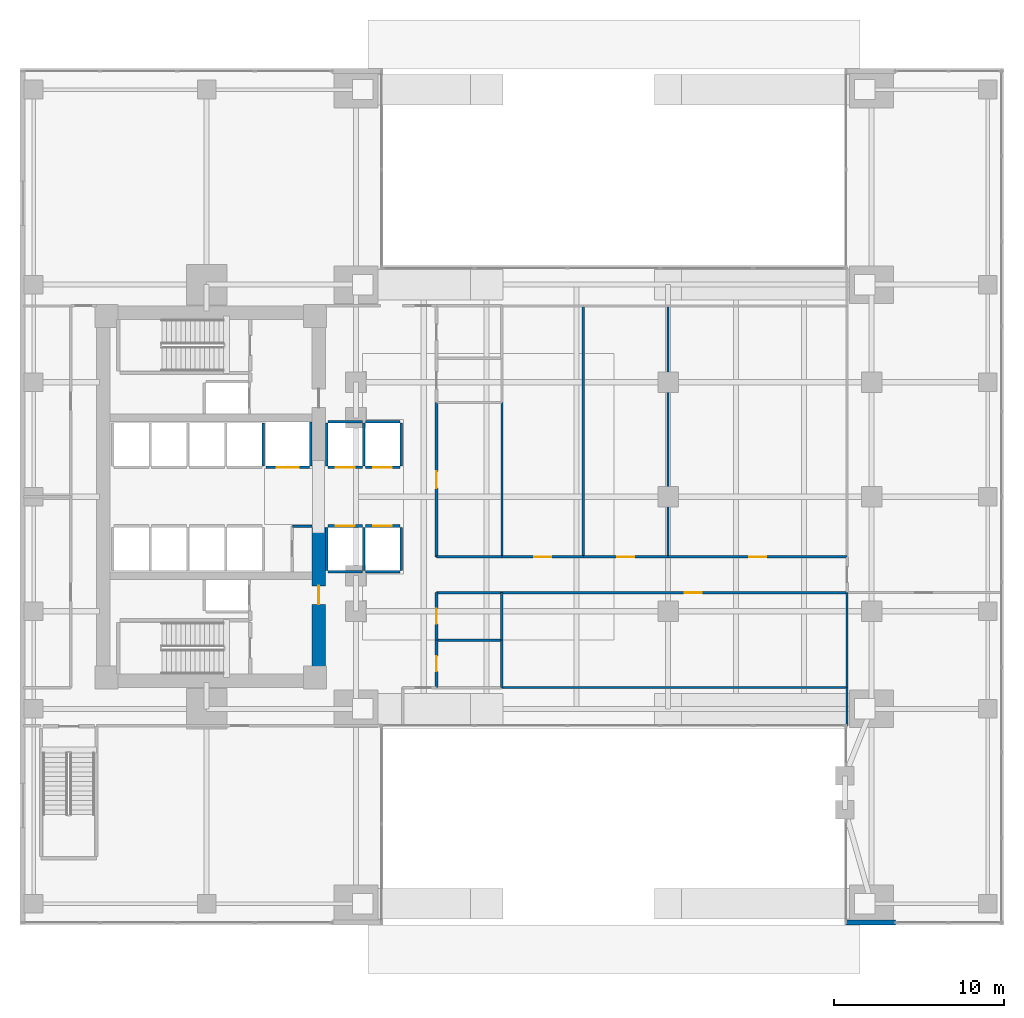
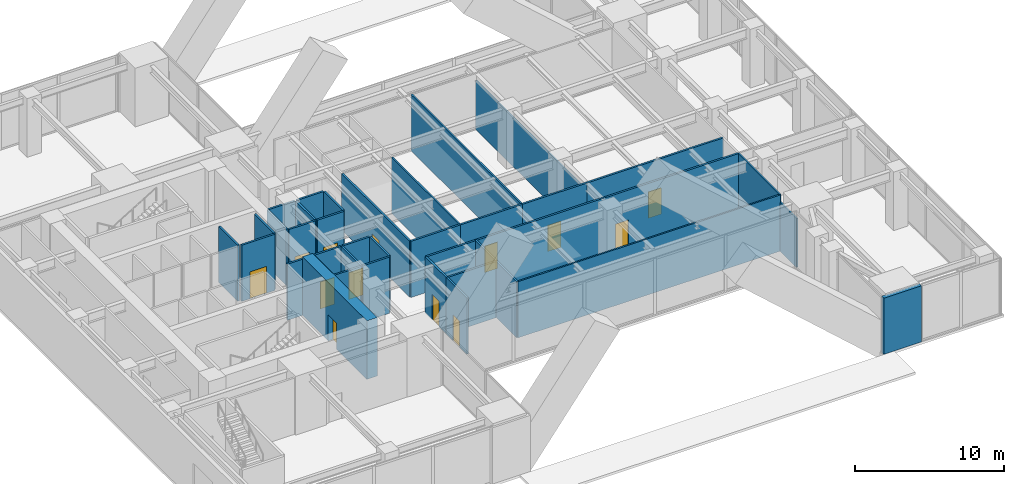
# One storey, part 9 of 13: 38 walls, 13 doors, 13 openings.
"""IFC4 building model written with IfcOpenShell, lengths in metres."""

from ifc_helpers import new_model, si_unit, direction, frame, frame_2d, origin, place, context, subcontext, project, spatial, rectangle, extrude, material, layer, layer_set, type_object, element, fill, save


model = new_model("IFC4")

# Units and contexts
model_context = context("Model", 3, precision=1e-05, world=origin(), true_north=direction((0.0, 1.0)))
body_context = subcontext(model_context, "Body", "Model", "MODEL_VIEW")
ifc_project = project(units=[si_unit("LENGTHUNIT", "METRE"), si_unit("AREAUNIT", "SQUARE_METRE"), si_unit("VOLUMEUNIT", "CUBIC_METRE"), si_unit("PLANEANGLEUNIT", "RADIAN"), si_unit("MASSUNIT", "GRAM", prefix="KILO")], contexts=[model_context])

# Site, building, storey
site_placement = place(None, origin())
site = spatial("IfcSite", under=ifc_project, at=site_placement, CompositionType="ELEMENT")
building_placement = place(site_placement, origin())
building = spatial("IfcBuilding", under=site, at=building_placement, Name="Kinhvarn Gate Tower", CompositionType="ELEMENT")
storey_placement = place(building_placement, frame((0.0, 0.0, 6.0)))
storey = spatial("IfcBuildingStorey", under=building, at=storey_placement, Name="L01", CompositionType="ELEMENT", Elevation=6.0)

# Wall, opening, door
ifc_material_1 = material(Name="Concrete C70/85", Category="concrete")
ifc_layer_1 = layer(ifc_material_1, 0.800048828125)
ifc_layer_set_1 = layer_set([ifc_layer_1], Name="Concrete C70/85")
wall_type_1 = type_object("IfcWallType", Name="WL-CORE-800", PredefinedType="SHEAR", material=ifc_layer_set_1)
wall_1_placement = place(storey_placement, frame((17.60009765625, 14.800048828125, 0.0), z_axis=(0.0, 0.0, 1.0), x_axis=(0.0, 1.0, 0.0)))
wall_1 = element("IfcWall", 1, at=wall_1_placement, inside=storey, type_object=wall_type_1, Name="Core East-South Shear Pier L01 800 mm", PredefinedType="SHEAR", context=body_context, shape_type="SweptSolid", body=[
    extrude(rectangle(XDim=8.64990234375, YDim=0.800048828125, at=frame_2d((4.324951171875, 0.0))), origin(), (0.0, 0.0, 1.0), 4.800048828125),
])
opening_1_placement = place(wall_1_placement, frame((4.10009765625, 0.0, 0.0)))
opening_1 = element("IfcOpeningElement", 2, at=opening_1_placement, cuts=wall_1, Name="Opening FD-02", PredefinedType="OPENING", context=body_context, shape_type="SweptSolid", body=[
    extrude(rectangle(XDim=1.10009765625, YDim=2.14990234375, at=frame_2d((0.550048828125, 1.074951171875))), frame((0.0, 0.41015625, 0.0), z_axis=(0.0, -1.0, 0.0), x_axis=(1.0, 0.0, 0.0)), (0.0, 0.0, 1.0), 0.820068359375),
])
ifc_material_2 = material(Name="Anodised aluminium AW-6063", Category="aluminium")
door_type_1 = type_object("IfcDoorType", Name="DR-FD-1100", OperationType="NOTDEFINED", PredefinedType="DOOR", material=ifc_material_2)
door_1_placement = place(opening_1_placement, origin())
door_1 = element("IfcDoor", 3, at=door_1_placement, inside=storey, type_object=door_type_1, Name="Firefighting Lobby Core Door (L01)", OperationType="SINGLE_SWING_RIGHT", OverallHeight=2.14990234375, OverallWidth=1.10009765625, PredefinedType="DOOR", context=body_context, shape_type="SweptSolid", body=[
    extrude(rectangle(XDim=1.10009765625, YDim=2.14990234375, at=frame_2d((0.550048828125, 1.074951171875))), frame((0.0, 0.02490234375, 0.0), z_axis=(0.0, -1.0, 0.0), x_axis=(1.0, 0.0, 0.0)), (0.0, 0.0, 1.0), 0.050048828125),
])
fill(opening_1, door_1)

# Walls
ifc_material_3 = material(Name="Precast white architectural concrete C40/50", Category="concrete")
ifc_layer_2 = layer(ifc_material_3, 0.300048828125)
ifc_layer_set_2 = layer_set([ifc_layer_2], Name="Precast white architectural concrete C40/50")
wall_type_2 = type_object("IfcWallType", Name="WL-EXT-300", PredefinedType="SOLIDWALL", material=ifc_layer_set_2)
wall_2_placement = place(storey_placement, frame((48.68994140625, 0.14990234375, 0.0), z_axis=(0.0, 0.0, 1.0), x_axis=(1.0, 0.0, 0.0)))
element("IfcWall", 4, at=wall_2_placement, inside=storey, type_object=wall_type_2, Name="Exterior Solidwall Wall EW-300 (L01 Arch-SE-Pier-L01)", PredefinedType="SOLIDWALL", context=body_context, shape_type="SweptSolid", body=[
    extrude(rectangle(XDim=2.91015625, YDim=0.300048828125, at=frame_2d((1.455078125, 0.0))), origin(), (0.0, 0.0, 1.0), 4.60009765625),
])
ifc_material_4 = material(Name="Gypsum acoustic partition board")
ifc_layer_3 = layer(ifc_material_4, 0.14990234375)
ifc_layer_set_3 = layer_set([ifc_layer_3], Name="Gypsum acoustic partition board")
wall_type_3 = type_object("IfcWallType", Name="WL-PLM-150", PredefinedType="PLUMBINGWALL", material=ifc_layer_set_3)
wall_3_placement = place(storey_placement, frame((24.550048828125, 16.800048828125, 0.0), z_axis=(0.0, 0.0, 1.0), x_axis=(1.0, 0.0, 0.0)))
element("IfcWall", 5, at=wall_3_placement, inside=storey, type_object=wall_type_3, Name="Interior Partition PLW-150 (L01)", PredefinedType="PLUMBINGWALL", context=body_context, shape_type="SweptSolid", body=[
    extrude(rectangle(XDim=3.849853515625, YDim=0.14990234375, at=frame_2d((1.9248046875, 0.0))), origin(), (0.0, 0.0, 1.0), 4.60009765625),
])
for number, where, z_axis, x_axis, name in (
    (6, (28.39990234375, 14.0, 0.0), (0.0, 0.0, 1.0), (0.0, 1.0, 0.0), "Interior Partition PLW-150 (L01)"),
    (7, (28.39990234375, 16.800048828125, 0.0), (0.0, 0.0, 1.0), (0.0, 1.0, 0.0), "Interior Partition PLW-150 (L01)"),
):
    element("IfcWall", number, at=place(storey_placement, frame(where, z_axis=z_axis, x_axis=x_axis)), inside=storey, type_object=wall_type_3, Name=name, PredefinedType="PLUMBINGWALL", context=body_context, shape_type="SweptSolid", body=[
        extrude(rectangle(XDim=2.800048828125, YDim=0.14990234375, at=frame_2d((1.39990234375, 0.0))), origin(), (0.0, 0.0, 1.0), 4.60009765625),
    ])

# Wall, opening, door
ifc_layer_4 = layer(ifc_material_4, 0.14990234375)
ifc_layer_set_4 = layer_set([ifc_layer_4], Name="Gypsum acoustic partition board")
wall_type_4 = type_object("IfcWallType", Name="WL-PLM-150F", PredefinedType="PLUMBINGWALL", material=ifc_layer_set_4)
wall_4_placement = place(storey_placement, frame((24.550048828125, 14.0, 0.0), z_axis=(0.0, 0.0, 1.0), x_axis=(0.0, 1.0, 0.0)))
wall_4 = element("IfcWall", 8, at=wall_4_placement, inside=storey, type_object=wall_type_4, Name="Interior Partition PLW-150F (L01)", PredefinedType="PLUMBINGWALL", context=body_context, shape_type="SweptSolid", body=[
    extrude(rectangle(XDim=2.800048828125, YDim=0.14990234375, at=frame_2d((1.39990234375, 0.0))), origin(), (0.0, 0.0, 1.0), 4.60009765625),
])
opening_2_placement = place(wall_4_placement, frame((0.949951171875, 0.0, 0.0)))
opening_2 = element("IfcOpeningElement", 9, at=opening_2_placement, cuts=wall_4, Name="Opening FD-04", PredefinedType="OPENING", context=body_context, shape_type="SweptSolid", body=[
    extrude(rectangle(XDim=0.89990234375, YDim=2.10009765625, at=frame_2d((0.449951171875, 1.050048828125))), frame((0.0, 0.0849609375, 0.0), z_axis=(0.0, -1.0, 0.0), x_axis=(1.0, 0.0, 0.0)), (0.0, 0.0, 1.0), 0.169921875),
])
door_type_2 = type_object("IfcDoorType", Name="DR-FD-900", OperationType="NOTDEFINED", PredefinedType="DOOR", material=ifc_material_2)
door_2_placement = place(opening_2_placement, origin())
door_2 = element("IfcDoor", 10, at=door_2_placement, inside=storey, type_object=door_type_2, Name="Rated Riser & Service Closet Fire Door 900x2100 mm (L01)", OperationType="SINGLE_SWING_LEFT", OverallHeight=2.10009765625, OverallWidth=0.89990234375, PredefinedType="DOOR", context=body_context, shape_type="SweptSolid", body=[
    extrude(rectangle(XDim=0.89990234375, YDim=2.10009765625, at=frame_2d((0.449951171875, 1.050048828125))), frame((0.0, 0.02490234375, 0.0), z_axis=(0.0, -1.0, 0.0), x_axis=(1.0, 0.0, 0.0)), (0.0, 0.0, 1.0), 0.050048828125),
])
fill(opening_2, door_2)

wall_5_placement = place(storey_placement, frame((24.550048828125, 16.800048828125, 0.0), z_axis=(0.0, 0.0, 1.0), x_axis=(0.0, 1.0, 0.0)))
wall_5 = element("IfcWall", 11, at=wall_5_placement, inside=storey, type_object=wall_type_4, Name="Interior Partition PLW-150F (L01)", PredefinedType="PLUMBINGWALL", context=body_context, shape_type="SweptSolid", body=[
    extrude(rectangle(XDim=2.800048828125, YDim=0.14990234375, at=frame_2d((1.39990234375, 0.0))), origin(), (0.0, 0.0, 1.0), 4.60009765625),
])
opening_3_placement = place(wall_5_placement, frame((0.949951171875, 0.0, 0.0)))
opening_3 = element("IfcOpeningElement", 12, at=opening_3_placement, cuts=wall_5, Name="Opening FD-04", PredefinedType="OPENING", context=body_context, shape_type="SweptSolid", body=[
    extrude(rectangle(XDim=0.89990234375, YDim=2.10009765625, at=frame_2d((0.449951171875, 1.050048828125))), frame((0.0, 0.0849609375, 0.0), z_axis=(0.0, -1.0, 0.0), x_axis=(1.0, 0.0, 0.0)), (0.0, 0.0, 1.0), 0.169921875),
])
door_3_placement = place(opening_3_placement, origin())
door_3 = element("IfcDoor", 13, at=door_3_placement, inside=storey, type_object=door_type_2, Name="Rated Riser & Service Closet Fire Door 900x2100 mm (L01)", OperationType="SINGLE_SWING_LEFT", OverallHeight=2.10009765625, OverallWidth=0.89990234375, PredefinedType="DOOR", context=body_context, shape_type="SweptSolid", body=[
    extrude(rectangle(XDim=0.89990234375, YDim=2.10009765625, at=frame_2d((0.449951171875, 1.050048828125))), frame((0.0, 0.02490234375, 0.0), z_axis=(0.0, -1.0, 0.0), x_axis=(1.0, 0.0, 0.0)), (0.0, 0.0, 1.0), 0.050048828125),
])
fill(opening_3, door_3)

# Walls
wall_6_placement = place(storey_placement, frame((24.550048828125, 19.60009765625, 0.0), z_axis=(0.0, 0.0, 1.0), x_axis=(1.0, 0.0, 0.0)))
element("IfcWall", 14, at=wall_6_placement, inside=storey, type_object=wall_type_4, Name="Interior Partition PLW-150F (L01)", PredefinedType="PLUMBINGWALL", context=body_context, shape_type="SweptSolid", body=[
    extrude(rectangle(XDim=3.849853515625, YDim=0.14990234375, at=frame_2d((1.9248046875, 0.0))), origin(), (0.0, 0.0, 1.0), 4.60009765625),
])
ifc_layer_5 = layer(ifc_material_4, 0.1201171875)
ifc_layer_set_5 = layer_set([ifc_layer_5], Name="Gypsum acoustic partition board")
wall_type_5 = type_object("IfcWallType", Name="WL-PRT-120", PredefinedType="PARTITIONING", material=ifc_layer_set_5)
wall_7_placement = place(storey_placement, frame((28.39990234375, 14.0, 0.0), z_axis=(0.0, 0.0, 1.0), x_axis=(1.0, 0.0, 0.0)))
element("IfcWall", 15, at=wall_7_placement, inside=storey, type_object=wall_type_5, Name="Interior Partition PW-120 (L01)", PredefinedType="PARTITIONING", context=body_context, shape_type="SweptSolid", body=[
    extrude(rectangle(XDim=20.35009765625, YDim=0.1201171875, at=frame_2d((10.175048828125, 0.0))), origin(), (0.0, 0.0, 1.0), 4.60009765625),
])
wall_8_placement = place(storey_placement, frame((48.75, 11.739990234375, 0.0), z_axis=(0.0, 0.0, 1.0), x_axis=(0.0, 1.0, 0.0)))
element("IfcWall", 16, at=wall_8_placement, inside=storey, type_object=wall_type_5, Name="Interior Partition PW-120 (L01)", PredefinedType="PARTITIONING", context=body_context, shape_type="SweptSolid", body=[
    extrude(rectangle(XDim=2.260009765625, YDim=0.1201171875, at=frame_2d((1.1298828125, 0.0))), origin(), (0.0, 0.0, 1.0), 4.0),
])
wall_9_placement = place(storey_placement, frame((48.75, 14.0, 0.0), z_axis=(0.0, 0.0, 1.0), x_axis=(0.0, 1.0, 0.0)))
element("IfcWall", 17, at=wall_9_placement, inside=storey, type_object=wall_type_5, Name="Interior Partition PW-120 (L01)", PredefinedType="PARTITIONING", context=body_context, shape_type="SweptSolid", body=[
    extrude(rectangle(XDim=5.60009765625, YDim=0.1201171875, at=frame_2d((2.800048828125, 0.0))), origin(), (0.0, 0.0, 1.0), 4.60009765625),
])
wall_10_placement = place(storey_placement, frame((28.39990234375, 21.699951171875, 0.0), z_axis=(0.0, 0.0, 1.0), x_axis=(0.0, 1.0, 0.0)))
element("IfcWall", 18, at=wall_10_placement, inside=storey, type_object=wall_type_5, Name="Interior Partition PW-120 (L01)", PredefinedType="PARTITIONING", context=body_context, shape_type="SweptSolid", body=[
    extrude(rectangle(XDim=9.10009765625, YDim=0.1201171875, at=frame_2d((4.550048828125, 0.0))), origin(), (0.0, 0.0, 1.0), 4.60009765625),
])
wall_11_placement = place(storey_placement, frame((33.199951171875, 21.699951171875, 0.0), z_axis=(0.0, 0.0, 1.0), x_axis=(0.0, 1.0, 0.0)))
element("IfcWall", 19, at=wall_11_placement, inside=storey, type_object=wall_type_5, Name="Interior Partition PW-120 (L01)", PredefinedType="PARTITIONING", context=body_context, shape_type="SweptSolid", body=[
    extrude(rectangle(XDim=14.800048828125, YDim=0.1201171875, at=frame_2d((7.39990234375, 0.0))), origin(), (0.0, 0.0, 1.0), 4.60009765625),
])
wall_12_placement = place(storey_placement, frame((38.199951171875, 21.699951171875, 0.0), z_axis=(0.0, 0.0, 1.0), x_axis=(0.0, 1.0, 0.0)))
element("IfcWall", 20, at=wall_12_placement, inside=storey, type_object=wall_type_5, Name="Interior Partition PW-120 (L01)", PredefinedType="PARTITIONING", context=body_context, shape_type="SweptSolid", body=[
    extrude(rectangle(XDim=14.800048828125, YDim=0.1201171875, at=frame_2d((7.39990234375, 0.0))), origin(), (0.0, 0.0, 1.0), 4.0),
])
ifc_layer_6 = layer(ifc_material_4, 0.14990234375)
ifc_layer_set_6 = layer_set([ifc_layer_6], Name="Gypsum acoustic partition board")
wall_type_6 = type_object("IfcWallType", Name="WL-PRT-150F", PredefinedType="PARTITIONING", material=ifc_layer_set_6)
wall_13_placement = place(storey_placement, frame((16.050048828125, 23.52001953125, 0.0), z_axis=(0.0, 0.0, 1.0), x_axis=(1.0, 0.0, 0.0)))
element("IfcWall", 21, at=wall_13_placement, inside=storey, type_object=wall_type_6, Name="Interior Partition PW-150F (L01)", PredefinedType="PARTITIONING", context=body_context, shape_type="SweptSolid", body=[
    extrude(rectangle(XDim=1.169921875, YDim=0.14990234375, at=frame_2d((0.5849609375, 0.0))), origin(), (0.0, 0.0, 1.0), 4.60009765625),
])

# Wall, opening, door
wall_14_placement = place(storey_placement, frame((24.550048828125, 21.699951171875, 0.0), z_axis=(0.0, 0.0, 1.0), x_axis=(0.0, 1.0, 0.0)))
wall_14 = element("IfcWall", 22, at=wall_14_placement, inside=storey, type_object=wall_type_6, Name="Interior Partition PW-150F (L01)", PredefinedType="PARTITIONING", context=body_context, shape_type="SweptSolid", body=[
    extrude(rectangle(XDim=9.10009765625, YDim=0.14990234375, at=frame_2d((4.550048828125, 0.0))), origin(), (0.0, 0.0, 1.0), 4.60009765625),
])
opening_4_placement = place(wall_14_placement, frame((4.050048828125, 0.0, 0.0)))
opening_4 = element("IfcOpeningElement", 23, at=opening_4_placement, cuts=wall_14, Name="Opening ID-02", PredefinedType="OPENING", context=body_context, shape_type="SweptSolid", body=[
    extrude(rectangle(XDim=1.0, YDim=2.14990234375, at=frame_2d((0.5, 1.074951171875))), frame((0.0, 0.0849609375, 0.0), z_axis=(0.0, -1.0, 0.0), x_axis=(1.0, 0.0, 0.0)), (0.0, 0.0, 1.0), 0.169921875),
])
door_type_3 = type_object("IfcDoorType", Name="DR-INT-1000", OperationType="NOTDEFINED", PredefinedType="DOOR", material=ifc_material_2)
door_4_placement = place(opening_4_placement, origin())
door_4 = element("IfcDoor", 24, at=door_4_placement, inside=storey, type_object=door_type_3, Name="Standard Office & Meeting Room Door 1000x2150 mm (L01)", OperationType="SINGLE_SWING_LEFT", OverallHeight=2.14990234375, OverallWidth=1.0, PredefinedType="DOOR", context=body_context, shape_type="SweptSolid", body=[
    extrude(rectangle(XDim=1.0, YDim=2.14990234375, at=frame_2d((0.5, 1.074951171875))), frame((0.0, 0.02490234375, 0.0), z_axis=(0.0, -1.0, 0.0), x_axis=(1.0, 0.0, 0.0)), (0.0, 0.0, 1.0), 0.050048828125),
])
fill(opening_4, door_4)

wall_15_placement = place(storey_placement, frame((28.39990234375, 19.60009765625, 0.0), z_axis=(0.0, 0.0, 1.0), x_axis=(1.0, 0.0, 0.0)))
wall_15 = element("IfcWall", 25, at=wall_15_placement, inside=storey, type_object=wall_type_6, Name="Interior Partition PW-150F (L01)", PredefinedType="PARTITIONING", context=body_context, shape_type="SweptSolid", body=[
    extrude(rectangle(XDim=20.35009765625, YDim=0.14990234375, at=frame_2d((10.175048828125, 0.0))), origin(), (0.0, 0.0, 1.0), 4.60009765625),
])
opening_5_placement = place(wall_15_placement, frame((10.7958984375, 0.0, 0.0)))
opening_5 = element("IfcOpeningElement", 26, at=opening_5_placement, cuts=wall_15, Name="Opening ID-02", PredefinedType="OPENING", context=body_context, shape_type="SweptSolid", body=[
    extrude(rectangle(XDim=1.0, YDim=2.14990234375, at=frame_2d((0.5, 1.074951171875))), frame((0.0, 0.0849609375, 0.0), z_axis=(0.0, -1.0, 0.0), x_axis=(1.0, 0.0, 0.0)), (0.0, 0.0, 1.0), 0.169921875),
])
door_5_placement = place(opening_5_placement, origin())
door_5 = element("IfcDoor", 27, at=door_5_placement, inside=storey, type_object=door_type_3, Name="Standard Office & Meeting Room Door 1000x2150 mm (L01)", OperationType="SINGLE_SWING_RIGHT", OverallHeight=2.14990234375, OverallWidth=1.0, PredefinedType="DOOR", context=body_context, shape_type="SweptSolid", body=[
    extrude(rectangle(XDim=1.0, YDim=2.14990234375, at=frame_2d((0.5, 1.074951171875))), frame((0.0, 0.02490234375, 0.0), z_axis=(0.0, -1.0, 0.0), x_axis=(1.0, 0.0, 0.0)), (0.0, 0.0, 1.0), 0.050048828125),
])
fill(opening_5, door_5)

# Wall
wall_16_placement = place(storey_placement, frame((24.550048828125, 21.699951171875, 0.0), z_axis=(0.0, 0.0, 1.0), x_axis=(1.0, 0.0, 0.0)))
element("IfcWall", 28, at=wall_16_placement, inside=storey, type_object=wall_type_6, Name="Interior Partition PW-150F (L01)", PredefinedType="PARTITIONING", context=body_context, shape_type="SweptSolid", body=[
    extrude(rectangle(XDim=3.849853515625, YDim=0.14990234375, at=frame_2d((1.9248046875, 0.0))), origin(), (0.0, 0.0, 1.0), 4.60009765625),
])

# Wall, opening, door
wall_17_placement = place(storey_placement, frame((28.39990234375, 21.699951171875, 0.0), z_axis=(0.0, 0.0, 1.0), x_axis=(1.0, 0.0, 0.0)))
wall_17 = element("IfcWall", 29, at=wall_17_placement, inside=storey, type_object=wall_type_6, Name="Interior Partition PW-150F (L01)", PredefinedType="PARTITIONING", context=body_context, shape_type="SweptSolid", body=[
    extrude(rectangle(XDim=4.800048828125, YDim=0.14990234375, at=frame_2d((2.39990234375, 0.0))), origin(), (0.0, 0.0, 1.0), 4.60009765625),
])
opening_6_placement = place(wall_17_placement, frame((1.89990234375, 0.0, 0.0)))
opening_6 = element("IfcOpeningElement", 30, at=opening_6_placement, cuts=wall_17, Name="Opening ID-02", PredefinedType="OPENING", context=body_context, shape_type="SweptSolid", body=[
    extrude(rectangle(XDim=1.0, YDim=2.14990234375, at=frame_2d((0.5, 1.074951171875))), frame((0.0, 0.0849609375, 0.0), z_axis=(0.0, -1.0, 0.0), x_axis=(1.0, 0.0, 0.0)), (0.0, 0.0, 1.0), 0.169921875),
])
door_6_placement = place(opening_6_placement, origin())
door_6 = element("IfcDoor", 31, at=door_6_placement, inside=storey, type_object=door_type_3, Name="Standard Office & Meeting Room Door 1000x2150 mm (L01)", OperationType="SINGLE_SWING_LEFT", OverallHeight=2.14990234375, OverallWidth=1.0, PredefinedType="DOOR", context=body_context, shape_type="SweptSolid", body=[
    extrude(rectangle(XDim=1.0, YDim=2.14990234375, at=frame_2d((0.5, 1.074951171875))), frame((0.0, 0.02490234375, 0.0), z_axis=(0.0, -1.0, 0.0), x_axis=(1.0, 0.0, 0.0)), (0.0, 0.0, 1.0), 0.050048828125),
])
fill(opening_6, door_6)

wall_18_placement = place(storey_placement, frame((33.199951171875, 21.699951171875, 0.0), z_axis=(0.0, 0.0, 1.0), x_axis=(1.0, 0.0, 0.0)))
wall_18 = element("IfcWall", 32, at=wall_18_placement, inside=storey, type_object=wall_type_6, Name="Interior Partition PW-150F (L01)", PredefinedType="PARTITIONING", context=body_context, shape_type="SweptSolid", body=[
    extrude(rectangle(XDim=5.0, YDim=0.14990234375, at=frame_2d((2.5, 0.0))), origin(), (0.0, 0.0, 1.0), 4.60009765625),
])
opening_7_placement = place(wall_18_placement, frame((2.0, 0.0, 0.0)))
opening_7 = element("IfcOpeningElement", 33, at=opening_7_placement, cuts=wall_18, Name="Opening ID-02", PredefinedType="OPENING", context=body_context, shape_type="SweptSolid", body=[
    extrude(rectangle(XDim=1.0, YDim=2.14990234375, at=frame_2d((0.5, 1.074951171875))), frame((0.0, 0.0849609375, 0.0), z_axis=(0.0, -1.0, 0.0), x_axis=(1.0, 0.0, 0.0)), (0.0, 0.0, 1.0), 0.169921875),
])
door_7_placement = place(opening_7_placement, origin())
door_7 = element("IfcDoor", 34, at=door_7_placement, inside=storey, type_object=door_type_3, Name="Standard Office & Meeting Room Door 1000x2150 mm (L01)", OperationType="SINGLE_SWING_RIGHT", OverallHeight=2.14990234375, OverallWidth=1.0, PredefinedType="DOOR", context=body_context, shape_type="SweptSolid", body=[
    extrude(rectangle(XDim=1.0, YDim=2.14990234375, at=frame_2d((0.5, 1.074951171875))), frame((0.0, 0.02490234375, 0.0), z_axis=(0.0, -1.0, 0.0), x_axis=(1.0, 0.0, 0.0)), (0.0, 0.0, 1.0), 0.050048828125),
])
fill(opening_7, door_7)

wall_19_placement = place(storey_placement, frame((38.199951171875, 21.699951171875, 0.0), z_axis=(0.0, 0.0, 1.0), x_axis=(1.0, 0.0, 0.0)))
wall_19 = element("IfcWall", 35, at=wall_19_placement, inside=storey, type_object=wall_type_6, Name="Interior Partition PW-150F (L01)", PredefinedType="PARTITIONING", context=body_context, shape_type="SweptSolid", body=[
    extrude(rectangle(XDim=10.550048828125, YDim=0.14990234375, at=frame_2d((5.27490234375, 0.0))), origin(), (0.0, 0.0, 1.0), 4.60009765625),
])
opening_8_placement = place(wall_19_placement, frame((4.77490234375, 0.0, 0.0)))
opening_8 = element("IfcOpeningElement", 36, at=opening_8_placement, cuts=wall_19, Name="Opening ID-02", PredefinedType="OPENING", context=body_context, shape_type="SweptSolid", body=[
    extrude(rectangle(XDim=1.0, YDim=2.14990234375, at=frame_2d((0.5, 1.074951171875))), frame((0.0, 0.0849609375, 0.0), z_axis=(0.0, -1.0, 0.0), x_axis=(1.0, 0.0, 0.0)), (0.0, 0.0, 1.0), 0.169921875),
])
door_8_placement = place(opening_8_placement, origin())
door_8 = element("IfcDoor", 37, at=door_8_placement, inside=storey, type_object=door_type_3, Name="Standard Office & Meeting Room Door 1000x2150 mm (L01)", OperationType="SINGLE_SWING_LEFT", OverallHeight=2.14990234375, OverallWidth=1.0, PredefinedType="DOOR", context=body_context, shape_type="SweptSolid", body=[
    extrude(rectangle(XDim=1.0, YDim=2.14990234375, at=frame_2d((0.5, 1.074951171875))), frame((0.0, 0.02490234375, 0.0), z_axis=(0.0, -1.0, 0.0), x_axis=(1.0, 0.0, 0.0)), (0.0, 0.0, 1.0), 0.050048828125),
])
fill(opening_8, door_8)

# Wall
ifc_layer_7 = layer(ifc_material_4, 0.14990234375)
ifc_layer_set_7 = layer_set([ifc_layer_7], Name="Gypsum acoustic partition board")
wall_type_7 = type_object("IfcWallType", Name="WL-SHF-150", PredefinedType="PARTITIONING", material=ifc_layer_set_7)
wall_20_placement = place(storey_placement, frame((18.14990234375, 20.824951171875, 0.0), z_axis=(0.0, 0.0, 1.0), x_axis=(1.0, 0.0, 0.0)))
element("IfcWall", 38, at=wall_20_placement, inside=storey, type_object=wall_type_7, Name="Elevator PL-01 Hoistway Wall S (L01)", PredefinedType="PARTITIONING", context=body_context, shape_type="SweptSolid", body=[
    extrude(rectangle(XDim=2.050048828125, YDim=0.14990234375, at=frame_2d((1.02490234375, 0.0))), origin(), (0.0, 0.0, 1.0), 4.60009765625),
])

# Wall, opening, door
wall_21_placement = place(storey_placement, frame((18.14990234375, 23.52490234375, 0.0), z_axis=(0.0, 0.0, 1.0), x_axis=(1.0, 0.0, 0.0)))
wall_21 = element("IfcWall", 39, at=wall_21_placement, inside=storey, type_object=wall_type_7, Name="Elevator PL-01 Landing Wall (L01)", PredefinedType="PARTITIONING", context=body_context, shape_type="SweptSolid", body=[
    extrude(rectangle(XDim=2.050048828125, YDim=0.14990234375, at=frame_2d((1.02490234375, 0.0))), origin(), (0.0, 0.0, 1.0), 4.60009765625),
])
opening_9_placement = place(wall_21_placement, frame((0.47509765625, 0.0, 0.0)))
opening_9 = element("IfcOpeningElement", 40, at=opening_9_placement, cuts=wall_21, Name="Opening LD-01", PredefinedType="OPENING", context=body_context, shape_type="SweptSolid", body=[
    extrude(rectangle(XDim=1.10009765625, YDim=2.199951171875, at=frame_2d((0.550048828125, 1.10009765625))), frame((0.0, 0.0849609375, 0.0), z_axis=(0.0, -1.0, 0.0), x_axis=(1.0, 0.0, 0.0)), (0.0, 0.0, 1.0), 0.169921875),
])
door_type_4 = type_object("IfcDoorType", Name="DR-LND-PAS", OperationType="NOTDEFINED", PredefinedType="DOOR", material=ifc_material_2)
door_9_placement = place(opening_9_placement, origin())
door_9 = element("IfcDoor", 41, at=door_9_placement, inside=storey, type_object=door_type_4, Name="Elevator PL-01 Sliding Landing Door (L01)", OperationType="DOUBLE_DOOR_SLIDING", OverallHeight=2.199951171875, OverallWidth=1.10009765625, PredefinedType="DOOR", context=body_context, shape_type="SweptSolid", body=[
    extrude(rectangle(XDim=1.10009765625, YDim=2.199951171875, at=frame_2d((0.550048828125, 1.10009765625))), frame((0.0, 0.02490234375, 0.0), z_axis=(0.0, -1.0, 0.0), x_axis=(1.0, 0.0, 0.0)), (0.0, 0.0, 1.0), 0.050048828125),
])
fill(opening_9, door_9)

# Walls
for number, where, z_axis, x_axis, name in (
    (42, (18.074951171875, 20.89990234375, 0.0), (0.0, 0.0, 1.0), (0.0, 1.0, 0.0), "Elevator PL-01 Hoistway Wall W (L01)"),
    (43, (20.27490234375, 20.89990234375, 0.0), (0.0, 0.0, 1.0), (0.0, 1.0, 0.0), "Elevator PL-01 Hoistway Wall E (L01)"),
):
    element("IfcWall", number, at=place(storey_placement, frame(where, z_axis=z_axis, x_axis=x_axis)), inside=storey, type_object=wall_type_7, Name=name, PredefinedType="PARTITIONING", context=body_context, shape_type="SweptSolid", body=[
        extrude(rectangle(XDim=2.550048828125, YDim=0.14990234375, at=frame_2d((1.27490234375, 0.0))), origin(), (0.0, 0.0, 1.0), 4.60009765625),
    ])
wall_22_placement = place(storey_placement, frame((20.35009765625, 20.824951171875, 0.0), z_axis=(0.0, 0.0, 1.0), x_axis=(1.0, 0.0, 0.0)))
element("IfcWall", 44, at=wall_22_placement, inside=storey, type_object=wall_type_7, Name="Elevator PL-02 Hoistway Wall S (L01)", PredefinedType="PARTITIONING", context=body_context, shape_type="SweptSolid", body=[
    extrude(rectangle(XDim=2.0498046875, YDim=0.14990234375, at=frame_2d((1.02490234375, 0.0))), origin(), (0.0, 0.0, 1.0), 4.60009765625),
])

# Wall, opening, door
wall_23_placement = place(storey_placement, frame((20.35009765625, 23.52490234375, 0.0), z_axis=(0.0, 0.0, 1.0), x_axis=(1.0, 0.0, 0.0)))
wall_23 = element("IfcWall", 45, at=wall_23_placement, inside=storey, type_object=wall_type_7, Name="Elevator PL-02 Landing Wall (L01)", PredefinedType="PARTITIONING", context=body_context, shape_type="SweptSolid", body=[
    extrude(rectangle(XDim=2.0498046875, YDim=0.14990234375, at=frame_2d((1.02490234375, 0.0))), origin(), (0.0, 0.0, 1.0), 4.60009765625),
])
opening_10_placement = place(wall_23_placement, frame((0.47509765625, 0.0, 0.0)))
opening_10 = element("IfcOpeningElement", 46, at=opening_10_placement, cuts=wall_23, Name="Opening LD-01", PredefinedType="OPENING", context=body_context, shape_type="SweptSolid", body=[
    extrude(rectangle(XDim=1.10009765625, YDim=2.199951171875, at=frame_2d((0.550048828125, 1.10009765625))), frame((0.0, 0.0849609375, 0.0), z_axis=(0.0, -1.0, 0.0), x_axis=(1.0, 0.0, 0.0)), (0.0, 0.0, 1.0), 0.169921875),
])
door_10_placement = place(opening_10_placement, origin())
door_10 = element("IfcDoor", 47, at=door_10_placement, inside=storey, type_object=door_type_4, Name="Elevator PL-02 Sliding Landing Door (L01)", OperationType="DOUBLE_DOOR_SLIDING", OverallHeight=2.199951171875, OverallWidth=1.10009765625, PredefinedType="DOOR", context=body_context, shape_type="SweptSolid", body=[
    extrude(rectangle(XDim=1.10009765625, YDim=2.199951171875, at=frame_2d((0.550048828125, 1.10009765625))), frame((0.0, 0.02490234375, 0.0), z_axis=(0.0, -1.0, 0.0), x_axis=(1.0, 0.0, 0.0)), (0.0, 0.0, 1.0), 0.050048828125),
])
fill(opening_10, door_10)

# Wall
wall_24_placement = place(storey_placement, frame((22.47509765625, 20.89990234375, 0.0), z_axis=(0.0, 0.0, 1.0), x_axis=(0.0, 1.0, 0.0)))
element("IfcWall", 48, at=wall_24_placement, inside=storey, type_object=wall_type_7, Name="Elevator PL-02 Hoistway Wall E (L01)", PredefinedType="PARTITIONING", context=body_context, shape_type="SweptSolid", body=[
    extrude(rectangle(XDim=2.550048828125, YDim=0.14990234375, at=frame_2d((1.27490234375, 0.0))), origin(), (0.0, 0.0, 1.0), 4.60009765625),
])

# Wall, opening, door
wall_25_placement = place(storey_placement, frame((18.14990234375, 26.97509765625, 0.0), z_axis=(0.0, 0.0, 1.0), x_axis=(1.0, 0.0, 0.0)))
wall_25 = element("IfcWall", 49, at=wall_25_placement, inside=storey, type_object=wall_type_7, Name="Elevator PL-03 Landing Wall (L01)", PredefinedType="PARTITIONING", context=body_context, shape_type="SweptSolid", body=[
    extrude(rectangle(XDim=2.050048828125, YDim=0.14990234375, at=frame_2d((1.02490234375, 0.0))), origin(), (0.0, 0.0, 1.0), 4.60009765625),
])
opening_11_placement = place(wall_25_placement, frame((0.47509765625, 0.0, 0.0)))
opening_11 = element("IfcOpeningElement", 50, at=opening_11_placement, cuts=wall_25, Name="Opening LD-01", PredefinedType="OPENING", context=body_context, shape_type="SweptSolid", body=[
    extrude(rectangle(XDim=1.10009765625, YDim=2.199951171875, at=frame_2d((0.550048828125, 1.10009765625))), frame((0.0, 0.0849609375, 0.0), z_axis=(0.0, -1.0, 0.0), x_axis=(1.0, 0.0, 0.0)), (0.0, 0.0, 1.0), 0.169921875),
])
door_11_placement = place(opening_11_placement, origin())
door_11 = element("IfcDoor", 51, at=door_11_placement, inside=storey, type_object=door_type_4, Name="Elevator PL-03 Sliding Landing Door (L01)", OperationType="DOUBLE_DOOR_SLIDING", OverallHeight=2.199951171875, OverallWidth=1.10009765625, PredefinedType="DOOR", context=body_context, shape_type="SweptSolid", body=[
    extrude(rectangle(XDim=1.10009765625, YDim=2.199951171875, at=frame_2d((0.550048828125, 1.10009765625))), frame((0.0, 0.02490234375, 0.0), z_axis=(0.0, -1.0, 0.0), x_axis=(1.0, 0.0, 0.0)), (0.0, 0.0, 1.0), 0.050048828125),
])
fill(opening_11, door_11)

# Walls
wall_26_placement = place(storey_placement, frame((18.14990234375, 29.675048828125, 0.0), z_axis=(0.0, 0.0, 1.0), x_axis=(1.0, 0.0, 0.0)))
element("IfcWall", 52, at=wall_26_placement, inside=storey, type_object=wall_type_7, Name="Elevator PL-03 Hoistway Wall N (L01)", PredefinedType="PARTITIONING", context=body_context, shape_type="SweptSolid", body=[
    extrude(rectangle(XDim=2.050048828125, YDim=0.14990234375, at=frame_2d((1.02490234375, 0.0))), origin(), (0.0, 0.0, 1.0), 4.60009765625),
])
for number, where, z_axis, x_axis, name in (
    (53, (18.074951171875, 27.050048828125, 0.0), (0.0, 0.0, 1.0), (0.0, 1.0, 0.0), "Elevator PL-03 Hoistway Wall W (L01)"),
    (54, (20.27490234375, 27.050048828125, 0.0), (0.0, 0.0, 1.0), (0.0, 1.0, 0.0), "Elevator PL-03 Hoistway Wall E (L01)"),
):
    element("IfcWall", number, at=place(storey_placement, frame(where, z_axis=z_axis, x_axis=x_axis)), inside=storey, type_object=wall_type_7, Name=name, PredefinedType="PARTITIONING", context=body_context, shape_type="SweptSolid", body=[
        extrude(rectangle(XDim=2.550048828125, YDim=0.14990234375, at=frame_2d((1.27490234375, 0.0))), origin(), (0.0, 0.0, 1.0), 4.60009765625),
    ])

# Wall, opening, door
wall_27_placement = place(storey_placement, frame((20.35009765625, 26.97509765625, 0.0), z_axis=(0.0, 0.0, 1.0), x_axis=(1.0, 0.0, 0.0)))
wall_27 = element("IfcWall", 55, at=wall_27_placement, inside=storey, type_object=wall_type_7, Name="Elevator PL-04 Landing Wall (L01)", PredefinedType="PARTITIONING", context=body_context, shape_type="SweptSolid", body=[
    extrude(rectangle(XDim=2.0498046875, YDim=0.14990234375, at=frame_2d((1.02490234375, 0.0))), origin(), (0.0, 0.0, 1.0), 4.60009765625),
])
opening_12_placement = place(wall_27_placement, frame((0.47509765625, 0.0, 0.0)))
opening_12 = element("IfcOpeningElement", 56, at=opening_12_placement, cuts=wall_27, Name="Opening LD-01", PredefinedType="OPENING", context=body_context, shape_type="SweptSolid", body=[
    extrude(rectangle(XDim=1.10009765625, YDim=2.199951171875, at=frame_2d((0.550048828125, 1.10009765625))), frame((0.0, 0.0849609375, 0.0), z_axis=(0.0, -1.0, 0.0), x_axis=(1.0, 0.0, 0.0)), (0.0, 0.0, 1.0), 0.169921875),
])
door_12_placement = place(opening_12_placement, origin())
door_12 = element("IfcDoor", 57, at=door_12_placement, inside=storey, type_object=door_type_4, Name="Elevator PL-04 Sliding Landing Door (L01)", OperationType="DOUBLE_DOOR_SLIDING", OverallHeight=2.199951171875, OverallWidth=1.10009765625, PredefinedType="DOOR", context=body_context, shape_type="SweptSolid", body=[
    extrude(rectangle(XDim=1.10009765625, YDim=2.199951171875, at=frame_2d((0.550048828125, 1.10009765625))), frame((0.0, 0.02490234375, 0.0), z_axis=(0.0, -1.0, 0.0), x_axis=(1.0, 0.0, 0.0)), (0.0, 0.0, 1.0), 0.050048828125),
])
fill(opening_12, door_12)

# Walls
wall_28_placement = place(storey_placement, frame((20.35009765625, 29.675048828125, 0.0), z_axis=(0.0, 0.0, 1.0), x_axis=(1.0, 0.0, 0.0)))
element("IfcWall", 58, at=wall_28_placement, inside=storey, type_object=wall_type_7, Name="Elevator PL-04 Hoistway Wall N (L01)", PredefinedType="PARTITIONING", context=body_context, shape_type="SweptSolid", body=[
    extrude(rectangle(XDim=2.0498046875, YDim=0.14990234375, at=frame_2d((1.02490234375, 0.0))), origin(), (0.0, 0.0, 1.0), 4.60009765625),
])
for number, where, z_axis, x_axis, name in (
    (59, (22.47509765625, 27.050048828125, 0.0), (0.0, 0.0, 1.0), (0.0, 1.0, 0.0), "Elevator PL-04 Hoistway Wall E (L01)"),
    (60, (14.324951171875, 27.050048828125, 0.0), (0.0, 0.0, 1.0), (0.0, 1.0, 0.0), "Elevator PH-12 Hoistway Wall E (L01)"),
):
    element("IfcWall", number, at=place(storey_placement, frame(where, z_axis=z_axis, x_axis=x_axis)), inside=storey, type_object=wall_type_7, Name=name, PredefinedType="PARTITIONING", context=body_context, shape_type="SweptSolid", body=[
        extrude(rectangle(XDim=2.550048828125, YDim=0.14990234375, at=frame_2d((1.27490234375, 0.0))), origin(), (0.0, 0.0, 1.0), 4.60009765625),
    ])

# Wall, opening, door
wall_29_placement = place(storey_placement, frame((14.5, 26.97509765625, 0.0), z_axis=(0.0, 0.0, 1.0), x_axis=(1.0, 0.0, 0.0)))
wall_29 = element("IfcWall", 61, at=wall_29_placement, inside=storey, type_object=wall_type_7, Name="Elevator SV-01 Landing Wall (L01)", PredefinedType="PARTITIONING", context=body_context, shape_type="SweptSolid", body=[
    extrude(rectangle(XDim=2.550048828125, YDim=0.14990234375, at=frame_2d((1.27490234375, 0.0))), origin(), (0.0, 0.0, 1.0), 4.60009765625),
])
opening_13_placement = place(wall_29_placement, frame((0.625, 0.0, 0.0)))
opening_13 = element("IfcOpeningElement", 62, at=opening_13_placement, cuts=wall_29, Name="Opening LD-02", PredefinedType="OPENING", context=body_context, shape_type="SweptSolid", body=[
    extrude(rectangle(XDim=1.300048828125, YDim=2.199951171875, at=frame_2d((0.64990234375, 1.10009765625))), frame((0.0, 0.0849609375, 0.0), z_axis=(0.0, -1.0, 0.0), x_axis=(1.0, 0.0, 0.0)), (0.0, 0.0, 1.0), 0.169921875),
])
door_type_5 = type_object("IfcDoorType", Name="DR-LND-SRV", OperationType="NOTDEFINED", PredefinedType="DOOR", material=ifc_material_2)
door_13_placement = place(opening_13_placement, origin())
door_13 = element("IfcDoor", 63, at=door_13_placement, inside=storey, type_object=door_type_5, Name="Elevator SV-01 Sliding Landing Door (L01)", OperationType="DOUBLE_DOOR_SLIDING", OverallHeight=2.199951171875, OverallWidth=1.300048828125, PredefinedType="DOOR", context=body_context, shape_type="SweptSolid", body=[
    extrude(rectangle(XDim=1.300048828125, YDim=2.199951171875, at=frame_2d((0.64990234375, 1.10009765625))), frame((0.0, 0.02490234375, 0.0), z_axis=(0.0, -1.0, 0.0), x_axis=(1.0, 0.0, 0.0)), (0.0, 0.0, 1.0), 0.050048828125),
])
fill(opening_13, door_13)

# Wall
wall_30_placement = place(storey_placement, frame((17.125, 27.050048828125, 0.0), z_axis=(0.0, 0.0, 1.0), x_axis=(0.0, 1.0, 0.0)))
element("IfcWall", 64, at=wall_30_placement, inside=storey, type_object=wall_type_7, Name="Elevator SV-01 Hoistway Wall E (L01)", PredefinedType="PARTITIONING", context=body_context, shape_type="SweptSolid", body=[
    extrude(rectangle(XDim=2.599853515625, YDim=0.14990234375, at=frame_2d((1.2998046875, 0.0))), origin(), (0.0, 0.0, 1.0), 4.60009765625),
])

save(model, "model.ifc")
